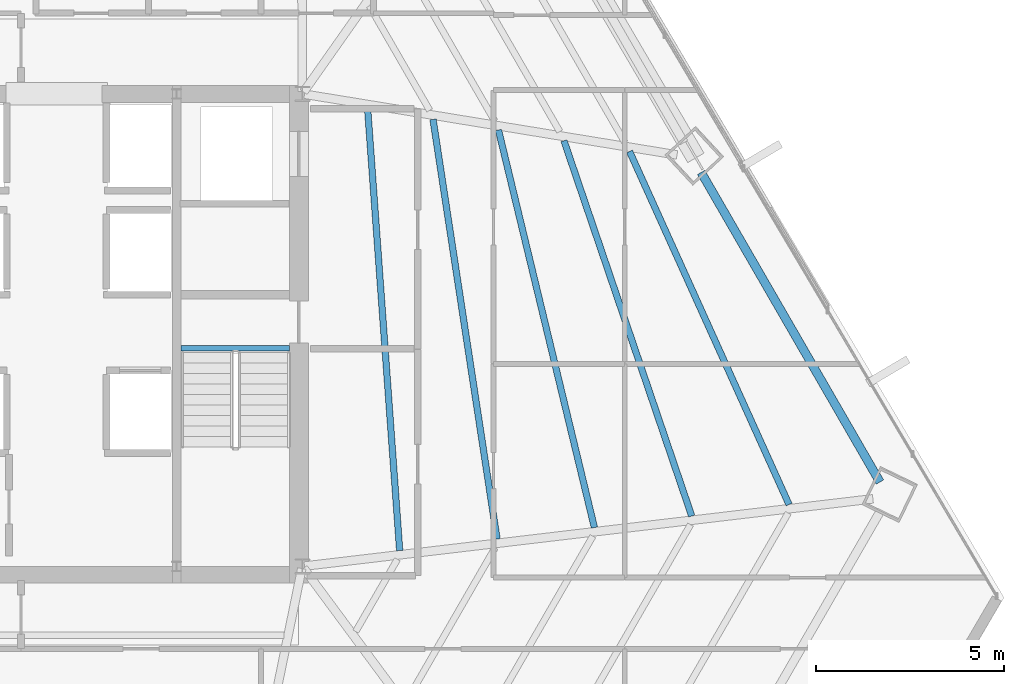
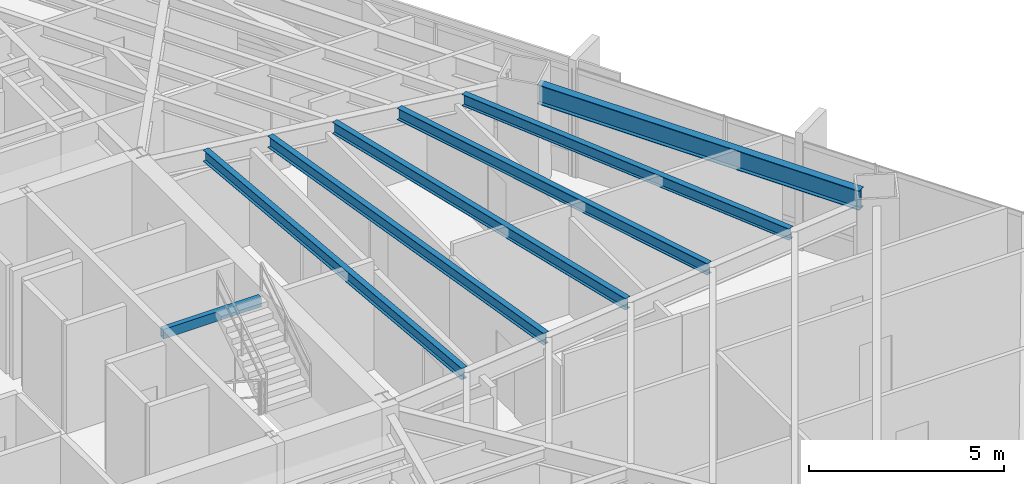
# One storey, part 20 of 37: 7 beams.
"""IFC4 building model written with IfcOpenShell, lengths in metres."""

from ifc_helpers import new_model, si_unit, direction, frame, origin, origin_2d, place, context, subcontext, project, spatial, hollow_rectangle, i_section, extrude, source, transform, mapped, material, material_profile, profile_set, type_object, type_shapes, element, save


model = new_model("IFC4")

# Units and contexts
model_context = context("Model", 3, precision=1e-05, world=origin(), true_north=direction((0.0, 1.0)))
body_context = subcontext(model_context, "Body", "Model", "MODEL_VIEW")
ifc_project = project(units=[si_unit("LENGTHUNIT", "METRE"), si_unit("AREAUNIT", "SQUARE_METRE"), si_unit("VOLUMEUNIT", "CUBIC_METRE"), si_unit("PLANEANGLEUNIT", "RADIAN"), si_unit("MASSUNIT", "GRAM", prefix="KILO")], contexts=[model_context])

# Site, building, storey
site_placement = place(None, origin())
site = spatial("IfcSite", under=ifc_project, at=site_placement, CompositionType="ELEMENT")
building_placement = place(site_placement, origin())
building = spatial("IfcBuilding", under=site, at=building_placement, Name="Caelisora Broadcast Tower", CompositionType="ELEMENT")
storey_placement = place(building_placement, frame((0.0, 0.0, 101.75)))
storey = spatial("IfcBuildingStorey", under=building, at=storey_placement, Name="L26", CompositionType="ELEMENT", Elevation=101.75)

# Beams
ifc_material_1 = material(Name="Steel Grade 350 (AS/NZS 1163 C350L0)", Category="steel")
ifc_material_profile_1 = material_profile(ifc_material_1, hollow_rectangle(XDim=0.14990234375, YDim=0.300048828125, WallThickness=0.010009765625, at=origin_2d()), Name="Steel Grade 350 (AS/NZS 1163 C350L0)")
ifc_profile_set_1 = profile_set([ifc_material_profile_1], Name="Steel Grade 350 (AS/NZS 1163 C350L0)")
beam_type_1 = type_object("IfcBeamType", Name="SB05", PredefinedType="JOIST", material=ifc_profile_set_1)
shared_shape_1 = source(origin(), body_context, "Body", "SweptSolid", [
    extrude(hollow_rectangle(XDim=0.14990234375, YDim=0.300048828125, WallThickness=0.010009765625, at=origin_2d()), origin(), (0.0, 0.0, 1.0), 2.89990234375),
])
type_shapes(beam_type_1, [shared_shape_1])
beam_1_placement = place(storey_placement, frame((42.260009765625, 23.219970703125, 3.25), z_axis=(1.0, 0.0, 0.0), x_axis=(0.0, 1.0, 0.0)))
element("IfcBeam", 1, at=beam_1_placement, inside=storey, type_object=beam_type_1, Name="L26 beam SB05", PredefinedType="JOIST", context=body_context, shape_type="MappedRepresentation", body=[
    mapped(shared_shape_1, transform((0.0, 0.0, 0.0), scale=1.0)),
])
ifc_material_2 = material(Name="Steel Grade 350 (AS/NZS 3679.1)", Category="steel")
ifc_material_profile_2 = material_profile(ifc_material_2, i_section(OverallWidth=0.22900390625, OverallDepth=0.611572265625, WebThickness=0.011962890625, FlangeThickness=0.01953125, at=origin_2d()), Name="Steel Grade 350 (AS/NZS 3679.1)")
ifc_profile_set_2 = profile_set([ifc_material_profile_2], Name="Steel Grade 350 (AS/NZS 3679.1)")
beam_type_2 = type_object("IfcBeamType", Name="PG03", PredefinedType="BEAM", material=ifc_profile_set_2)
shared_shape_2 = source(origin(), body_context, "Body", "SweptSolid", [
    extrude(i_section(OverallWidth=0.22900390625, OverallDepth=0.611572265625, WebThickness=0.011962890625, FlangeThickness=0.01953125, at=origin_2d()), origin(), (0.0, 0.0, 1.0), 9.533447265625),
])
type_shapes(beam_type_2, [shared_shape_2])
beam_2_placement = place(storey_placement, frame((60.9033203125, 19.6484375, 3.09423828125), z_axis=(-0.500014327106, 0.866017131868, 0.0), x_axis=(-0.866017131868, -0.500014327106, 0.0)))
element("IfcBeam", 2, at=beam_2_placement, inside=storey, type_object=beam_type_2, Name="L26 beam PG03", PredefinedType="BEAM", context=body_context, shape_type="MappedRepresentation", body=[
    mapped(shared_shape_2, transform((0.0, 0.0, 0.0), scale=1.0)),
])
ifc_material_profile_3 = material_profile(ifc_material_2, i_section(OverallWidth=0.172119140625, OverallDepth=0.358642578125, WebThickness=0.008056640625, FlangeThickness=0.012939453125, at=origin_2d()), Name="Steel Grade 350 (AS/NZS 3679.1)")
ifc_profile_set_3 = profile_set([ifc_material_profile_3], Name="Steel Grade 350 (AS/NZS 3679.1)")
beam_type_3 = type_object("IfcBeamType", Name="SB02", PredefinedType="JOIST", material=ifc_profile_set_3)
shared_shape_3 = source(origin(), body_context, "Body", "SweptSolid", [
    extrude(i_section(OverallWidth=0.172119140625, OverallDepth=0.358642578125, WebThickness=0.008056640625, FlangeThickness=0.012939453125, at=origin_2d()), origin(), (0.0, 0.0, 1.0), 11.815185546875),
])
beam_3_placement = place(storey_placement, frame((48.097412109375, 17.819091796875, 3.220703125), z_axis=(-0.072342480637, 0.997379850155, 0.0), x_axis=(-0.997379850155, -0.072342480637, 0.0)))
element("IfcBeam", 3, at=beam_3_placement, inside=storey, type_object=beam_type_3, Name="L26 beam SB02", PredefinedType="JOIST", context=body_context, shape_type="MappedRepresentation", body=[
    mapped(shared_shape_3, transform((0.0, 0.0, 0.0), scale=1.0)),
])
shared_shape_4 = source(origin(), body_context, "Body", "SweptSolid", [
    extrude(i_section(OverallWidth=0.172119140625, OverallDepth=0.358642578125, WebThickness=0.008056640625, FlangeThickness=0.012939453125, at=origin_2d()), origin(), (0.0, 0.0, 1.0), 11.322021484375),
])
beam_4_placement = place(storey_placement, frame((50.6943359375, 18.12646484375, 3.220703125), z_axis=(-0.150836921359, 0.988558659441, 0.0), x_axis=(-0.988558659441, -0.150836921359, 0.0)))
element("IfcBeam", 4, at=beam_4_placement, inside=storey, type_object=beam_type_3, Name="L26 beam SB02", PredefinedType="JOIST", context=body_context, shape_type="MappedRepresentation", body=[
    mapped(shared_shape_4, transform((0.0, 0.0, 0.0), scale=1.0)),
])
shared_shape_5 = source(origin(), body_context, "Body", "SweptSolid", [
    extrude(i_section(OverallWidth=0.172119140625, OverallDepth=0.358642578125, WebThickness=0.008056640625, FlangeThickness=0.012939453125, at=origin_2d()), origin(), (0.0, 0.0, 1.0), 10.905029296875),
])
beam_5_placement = place(storey_placement, frame((53.290283203125, 18.43359375, 3.220703125), z_axis=(-0.234625943163, 0.972085730167, 0.0), x_axis=(-0.972085730167, -0.234625943163, 0.0)))
element("IfcBeam", 5, at=beam_5_placement, inside=storey, type_object=beam_type_3, Name="L26 beam SB02", PredefinedType="JOIST", context=body_context, shape_type="MappedRepresentation", body=[
    mapped(shared_shape_5, transform((0.0, 0.0, 0.0), scale=1.0)),
])
shared_shape_6 = source(origin(), body_context, "Body", "SweptSolid", [
    extrude(i_section(OverallWidth=0.172119140625, OverallDepth=0.358642578125, WebThickness=0.008056640625, FlangeThickness=0.012939453125, at=origin_2d()), origin(), (0.0, 0.0, 1.0), 10.572265625),
])
beam_6_placement = place(storey_placement, frame((55.885498046875, 18.740966796875, 3.220703125), z_axis=(-0.322276126161, 0.946645709073, 0.0), x_axis=(-0.946645709073, -0.322276126161, 0.0)))
element("IfcBeam", 6, at=beam_6_placement, inside=storey, type_object=beam_type_3, Name="L26 beam SB02", PredefinedType="JOIST", context=body_context, shape_type="MappedRepresentation", body=[
    mapped(shared_shape_6, transform((0.0, 0.0, 0.0), scale=1.0)),
])
shared_shape_7 = source(origin(), body_context, "Body", "SweptSolid", [
    extrude(i_section(OverallWidth=0.172119140625, OverallDepth=0.358642578125, WebThickness=0.008056640625, FlangeThickness=0.012939453125, at=origin_2d()), origin(), (0.0, 0.0, 1.0), 10.33154296875),
])
type_shapes(beam_type_3, [shared_shape_3, shared_shape_4, shared_shape_5, shared_shape_6, shared_shape_7])
beam_7_placement = place(storey_placement, frame((58.479736328125, 19.048095703125, 3.220703125), z_axis=(-0.411599385333, 0.911364880821, 0.0), x_axis=(-0.911364880821, -0.411599385333, 0.0)))
element("IfcBeam", 7, at=beam_7_placement, inside=storey, type_object=beam_type_3, Name="L26 beam SB02", PredefinedType="JOIST", context=body_context, shape_type="MappedRepresentation", body=[
    mapped(shared_shape_7, transform((0.0, 0.0, 0.0), scale=1.0)),
])

save(model, "model.ifc")
